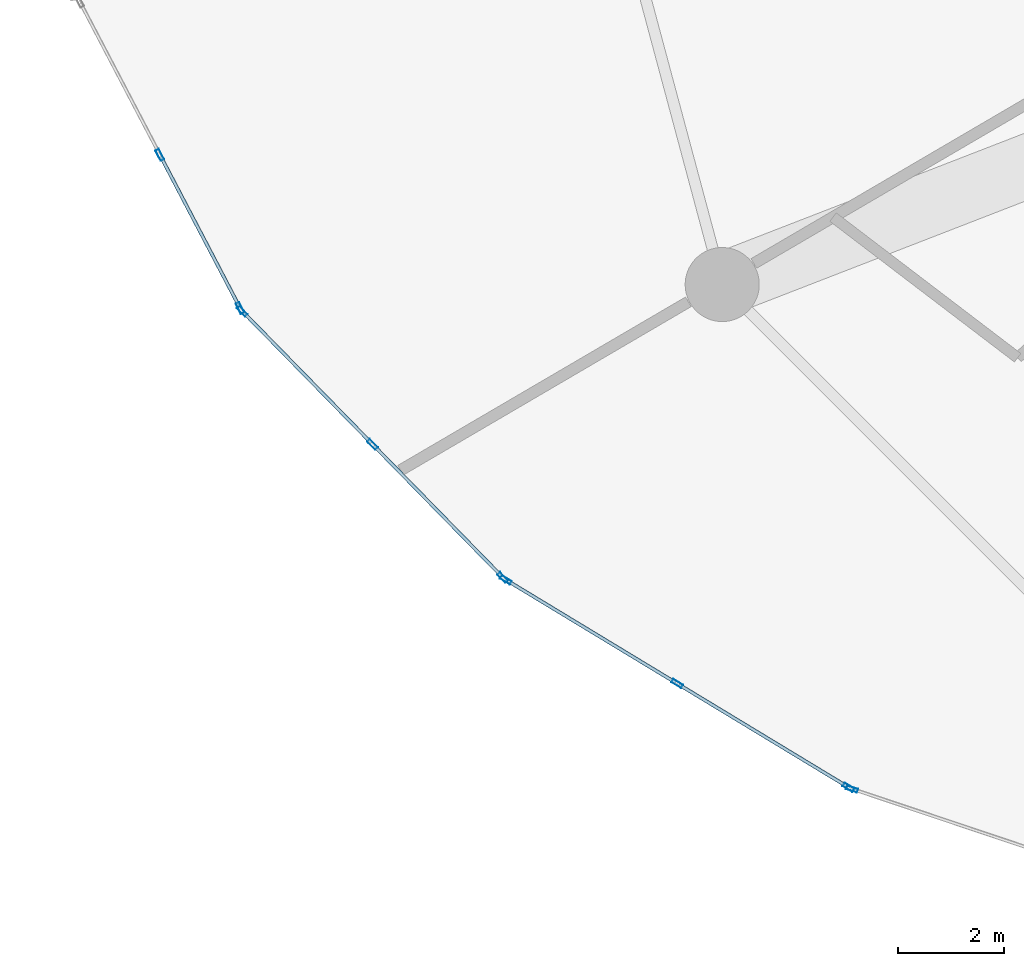
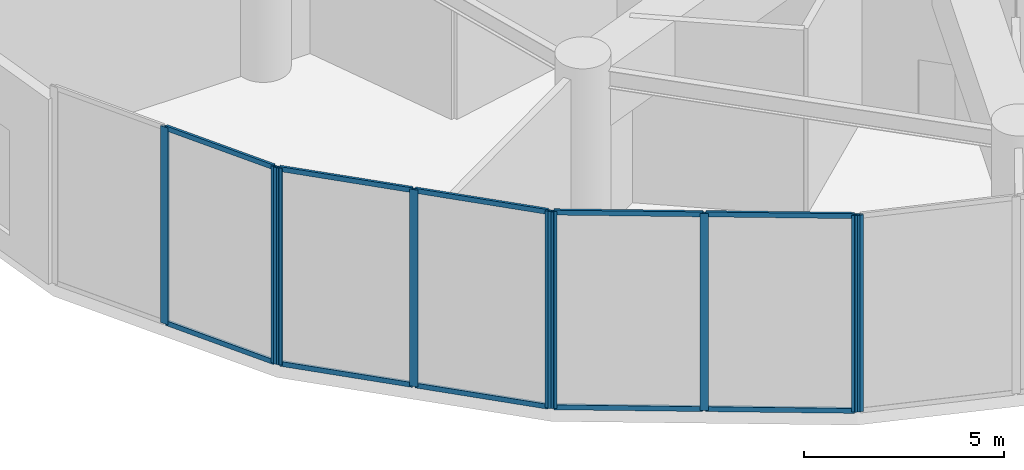
# One storey, part 4 of 28: 19 members, 4 elements without a shape of their own.
"""IFC4 building model written with IfcOpenShell, lengths in metres."""

from ifc_helpers import new_model, si_unit, direction, frame, origin, origin_2d, place, context, subcontext, project, spatial, hollow_rectangle, extrude, source, transform, mapped, material, layer, layer_set, material_profile, profile_set, type_object, element, aggregate, save


model = new_model("IFC4")

# Units and contexts
model_context = context("Model", 3, precision=1e-05, world=origin(), true_north=direction((0.0, 1.0)))
body_context = subcontext(model_context, "Body", "Model", "MODEL_VIEW")
ifc_project = project(units=[si_unit("LENGTHUNIT", "METRE"), si_unit("AREAUNIT", "SQUARE_METRE"), si_unit("VOLUMEUNIT", "CUBIC_METRE"), si_unit("PLANEANGLEUNIT", "RADIAN"), si_unit("MASSUNIT", "GRAM", prefix="KILO")], contexts=[model_context])

# Site, building, storey
site_placement = place(None, origin())
site = spatial("IfcSite", under=ifc_project, at=site_placement, CompositionType="ELEMENT")
building_placement = place(site_placement, origin())
building = spatial("IfcBuilding", under=site, at=building_placement, Name="Solvirekh Grand Hotel", CompositionType="ELEMENT")
storey_placement = place(building_placement, frame((0.0, 0.0, 12.60009765625)))
storey = spatial("IfcBuildingStorey", under=building, at=storey_placement, Name="L02", CompositionType="ELEMENT", Elevation=12.60009765625)

# Curtain wall, members
ifc_material = material(Name="Anodized Bronze Aluminium 6063-T6", Category="aluminium")
ifc_layer = layer(ifc_material, 0.219970703125)
ifc_layer_set = layer_set([ifc_layer], Name="Anodized Bronze Aluminium 6063-T6")
curtain_wall_type = type_object("IfcCurtainWallType", Name="CW_Sys1_PodiumBronzeUnitised", PredefinedType="NOTDEFINED", material=ifc_layer_set)
curtain_wall_1_placement = place(storey_placement, origin())
curtain_wall_1 = element("IfcCurtainWall", 1, at=curtain_wall_1_placement, inside=storey, type_object=curtain_wall_type, Name="L02 unitised bronze-glass curtain wall CW-L02-C14", PredefinedType="NOTDEFINED")
ifc_material_profile_1 = material_profile(ifc_material, hollow_rectangle(XDim=0.06494140625, YDim=0.14990234375, WallThickness=0.0048828125, at=origin_2d()), Name="ALU RHS 150X65X5")
ifc_profile_set_1 = profile_set([ifc_material_profile_1], Name="Anodized Bronze Aluminium 6063-T6")
member_type_1 = type_object("IfcMemberType", Name="CWTransom_Sys1", PredefinedType="USERDEFINED", material=ifc_profile_set_1)
shared_shape_1 = source(origin(), body_context, "Body", "SweptSolid", [
    extrude(hollow_rectangle(XDim=0.06494140625, YDim=0.14990234375, WallThickness=0.0048828125, at=origin_2d()), origin(), (0.0, 0.0, 1.0), 3.193603515625),
])
member_1_placement = place(storey_placement, frame((-29.489990234375, -8.482177734375, 0.032470703125), z_axis=(0.463801310978, -0.88593924393, 0.0), x_axis=(0.88593924393, 0.463801310978, 0.0)))
member_1 = element("IfcMember", 2, at=member_1_placement, type_object=member_type_1, Name="U01 transom 2.1", ObjectType="TRANSOM", PredefinedType="USERDEFINED", context=body_context, shape_type="MappedRepresentation", body=[
    mapped(shared_shape_1, transform((0.0, 0.0, 0.0), x_axis=(1.0, 0.0, 0.0), y_axis=(0.0, 1.0, 0.0), z_axis=(0.0, 0.0, 1.0), scale=1.0)),
])
member_2_placement = place(storey_placement, frame((-29.489990234375, -8.482177734375, 5.96728515625), z_axis=(0.463801310978, -0.88593924393, 0.0), x_axis=(0.88593924393, 0.463801310978, 0.0)))
member_2 = element("IfcMember", 3, at=member_2_placement, type_object=member_type_1, Name="U01 transom 2.2", ObjectType="TRANSOM", PredefinedType="USERDEFINED", context=body_context, shape_type="MappedRepresentation", body=[
    mapped(shared_shape_1, transform((0.0, 0.0, 0.0), x_axis=(1.0, 0.0, 0.0), y_axis=(0.0, 1.0, 0.0), z_axis=(0.0, 0.0, 1.0), scale=1.0)),
])

curtain_wall_2_placement = place(storey_placement, origin())
curtain_wall_2 = element("IfcCurtainWall", 4, at=curtain_wall_2_placement, inside=storey, type_object=curtain_wall_type, Name="L02 unitised bronze-glass curtain wall CW-L02-C15", PredefinedType="NOTDEFINED")
shared_shape_2 = source(origin(), body_context, "Body", "SweptSolid", [
    extrude(hollow_rectangle(XDim=0.06494140625, YDim=0.14990234375, WallThickness=0.0048828125, at=origin_2d()), origin(), (0.0, 0.0, 1.0), 3.443115234375),
])
member_3_placement = place(storey_placement, frame((-27.921630859375, -11.431640625, 0.032470703125), z_axis=(0.699371344308, -0.714758506603, 0.0), x_axis=(0.714758506603, 0.699371344308, 0.0)))
member_3 = element("IfcMember", 5, at=member_3_placement, type_object=member_type_1, Name="U01 transom 1.1", ObjectType="TRANSOM", PredefinedType="USERDEFINED", context=body_context, shape_type="MappedRepresentation", body=[
    mapped(shared_shape_2, transform((0.0, 0.0, 0.0), x_axis=(1.0, 0.0, 0.0), y_axis=(0.0, 1.0, 0.0), z_axis=(0.0, 0.0, 1.0), scale=1.0)),
])
member_4_placement = place(storey_placement, frame((-27.921630859375, -11.431640625, 5.96728515625), z_axis=(0.699371344308, -0.714758506603, 0.0), x_axis=(0.714758506603, 0.699371344308, 0.0)))
member_4 = element("IfcMember", 6, at=member_4_placement, type_object=member_type_1, Name="U01 transom 1.2", ObjectType="TRANSOM", PredefinedType="USERDEFINED", context=body_context, shape_type="MappedRepresentation", body=[
    mapped(shared_shape_2, transform((0.0, 0.0, 0.0), x_axis=(1.0, 0.0, 0.0), y_axis=(0.0, 1.0, 0.0), z_axis=(0.0, 0.0, 1.0), scale=1.0)),
])
member_5_placement = place(storey_placement, frame((-25.461181640625, -13.9462890625, 0.032470703125), z_axis=(0.699299669217, -0.714828631654, 0.0), x_axis=(0.714828631654, 0.699299669217, 0.0)))
member_5 = element("IfcMember", 7, at=member_5_placement, type_object=member_type_1, Name="U01 transom 2.1", ObjectType="TRANSOM", PredefinedType="USERDEFINED", context=body_context, shape_type="MappedRepresentation", body=[
    mapped(shared_shape_2, transform((0.0, 0.0, 0.0), x_axis=(1.0, 0.0, 0.0), y_axis=(0.0, 1.0, 0.0), z_axis=(0.0, 0.0, 1.0), scale=1.0)),
])
member_6_placement = place(storey_placement, frame((-25.461181640625, -13.9462890625, 5.96728515625), z_axis=(0.699299669217, -0.714828631654, 0.0), x_axis=(0.714828631654, 0.699299669217, 0.0)))
member_6 = element("IfcMember", 8, at=member_6_placement, type_object=member_type_1, Name="U01 transom 2.2", ObjectType="TRANSOM", PredefinedType="USERDEFINED", context=body_context, shape_type="MappedRepresentation", body=[
    mapped(shared_shape_2, transform((0.0, 0.0, 0.0), x_axis=(1.0, 0.0, 0.0), y_axis=(0.0, 1.0, 0.0), z_axis=(0.0, 0.0, 1.0), scale=1.0)),
])

# Member
ifc_material_profile_2 = material_profile(ifc_material, hollow_rectangle(XDim=0.074951171875, YDim=0.219970703125, WallThickness=0.006103515625, at=origin_2d()), Name="ALU RHS 220X75X6")
ifc_profile_set_2 = profile_set([ifc_material_profile_2], Name="Anodized Bronze Aluminium 6063-T6")
member_type_2 = type_object("IfcMemberType", Name="CWMullion_Sys1", PredefinedType="MULLION", material=ifc_profile_set_2)
shared_shape_3 = source(origin(), body_context, "Body", "SweptSolid", [
    extrude(hollow_rectangle(XDim=0.074951171875, YDim=0.219970703125, WallThickness=0.006103515625, at=origin_2d()), origin(), (0.0, 0.0, 1.0), 6.0),
])
member_7_placement = place(storey_placement, frame((-29.507568359375, -8.448974609375, 0.0), z_axis=(0.0, 0.0, 1.0), x_axis=(0.885923280364, 0.463831802821, 0.0)))
member_7 = element("IfcMember", 9, at=member_7_placement, type_object=member_type_2, Name="U01 mullion 2", PredefinedType="MULLION", context=body_context, shape_type="MappedRepresentation", body=[
    mapped(shared_shape_3, transform((0.0, 0.0, 0.0), x_axis=(1.0, 0.0, 0.0), y_axis=(0.0, 1.0, 0.0), z_axis=(0.0, 0.0, 1.0), scale=1.0)),
])

member_8_placement = place(storey_placement, frame((-27.991455078125, -11.3447265625, 0.0), z_axis=(0.0, 0.0, 1.0), x_axis=(0.885923280364, 0.463831802821, 0.0)))
member_8 = element("IfcMember", 10, at=member_8_placement, type_object=member_type_2, Name="U01 mullion 3", PredefinedType="MULLION", context=body_context, shape_type="MappedRepresentation", body=[
    mapped(shared_shape_3, transform((0.0, 0.0, 0.0), x_axis=(1.0, 0.0, 0.0), y_axis=(0.0, 1.0, 0.0), z_axis=(0.0, 0.0, 1.0), scale=1.0)),
])

aggregate(curtain_wall_1, [member_7, member_8, member_1, member_2])

member_9_placement = place(storey_placement, frame((-27.94775390625, -11.40478515625, 0.0), z_axis=(0.0, 0.0, 1.0), x_axis=(0.714798876821, 0.699330083505, 0.0)))
member_9 = element("IfcMember", 11, at=member_9_placement, type_object=member_type_2, Name="U01 mullion 1", PredefinedType="MULLION", context=body_context, shape_type="MappedRepresentation", body=[
    mapped(shared_shape_3, transform((0.0, 0.0, 0.0), x_axis=(1.0, 0.0, 0.0), y_axis=(0.0, 1.0, 0.0), z_axis=(0.0, 0.0, 1.0), scale=1.0)),
])

member_10_placement = place(storey_placement, frame((-25.487548828125, -13.91943359375, 0.0), z_axis=(0.0, 0.0, 1.0), x_axis=(0.714798876821, 0.699330083505, 0.0)))
member_10 = element("IfcMember", 12, at=member_10_placement, type_object=member_type_2, Name="U01 mullion 2", PredefinedType="MULLION", context=body_context, shape_type="MappedRepresentation", body=[
    mapped(shared_shape_3, transform((0.0, 0.0, 0.0), x_axis=(1.0, 0.0, 0.0), y_axis=(0.0, 1.0, 0.0), z_axis=(0.0, 0.0, 1.0), scale=1.0)),
])

member_11_placement = place(storey_placement, frame((-23.02734375, -16.43408203125, 0.0), z_axis=(0.0, 0.0, 1.0), x_axis=(0.714798876821, 0.699330083505, 0.0)))
member_11 = element("IfcMember", 13, at=member_11_placement, type_object=member_type_2, Name="U01 mullion 3", PredefinedType="MULLION", context=body_context, shape_type="MappedRepresentation", body=[
    mapped(shared_shape_3, transform((0.0, 0.0, 0.0), x_axis=(1.0, 0.0, 0.0), y_axis=(0.0, 1.0, 0.0), z_axis=(0.0, 0.0, 1.0), scale=1.0)),
])

aggregate(curtain_wall_2, [member_9, member_10, member_11, member_3, member_4, member_5, member_6])

# Curtain wall, members
curtain_wall_3_placement = place(storey_placement, origin())
curtain_wall_3 = element("IfcCurtainWall", 14, at=curtain_wall_3_placement, inside=storey, type_object=curtain_wall_type, Name="L02 unitised bronze-glass curtain wall CW-L02-C16", PredefinedType="NOTDEFINED")
member_12_placement = place(storey_placement, frame((-22.968994140625, -16.48046875, 0.0), z_axis=(0.0, 0.0, 1.0), x_axis=(0.517991568383, 0.855385722984, 0.0)))
member_12 = element("IfcMember", 15, at=member_12_placement, type_object=member_type_2, Name="U01 mullion 1", PredefinedType="MULLION", context=body_context, shape_type="MappedRepresentation", body=[
    mapped(shared_shape_3, transform((0.0, 0.0, 0.0), x_axis=(1.0, 0.0, 0.0), y_axis=(0.0, 1.0, 0.0), z_axis=(0.0, 0.0, 1.0), scale=1.0)),
])
member_13_placement = place(storey_placement, frame((-19.73046875, -18.44140625, 0.0), z_axis=(0.0, 0.0, 1.0), x_axis=(0.517991568383, 0.855385722984, 0.0)))
member_13 = element("IfcMember", 16, at=member_13_placement, type_object=member_type_2, Name="U01 mullion 2", PredefinedType="MULLION", context=body_context, shape_type="MappedRepresentation", body=[
    mapped(shared_shape_3, transform((0.0, 0.0, 0.0), x_axis=(1.0, 0.0, 0.0), y_axis=(0.0, 1.0, 0.0), z_axis=(0.0, 0.0, 1.0), scale=1.0)),
])
member_14_placement = place(storey_placement, frame((-16.4921875, -20.402587890625, 0.0), z_axis=(0.0, 0.0, 1.0), x_axis=(0.517991568383, 0.855385722984, 0.0)))
member_14 = element("IfcMember", 17, at=member_14_placement, type_object=member_type_2, Name="U01 mullion 3", PredefinedType="MULLION", context=body_context, shape_type="MappedRepresentation", body=[
    mapped(shared_shape_3, transform((0.0, 0.0, 0.0), x_axis=(1.0, 0.0, 0.0), y_axis=(0.0, 1.0, 0.0), z_axis=(0.0, 0.0, 1.0), scale=1.0)),
])

# Curtain wall, member
curtain_wall_4_placement = place(storey_placement, origin())
curtain_wall_4 = element("IfcCurtainWall", 18, at=curtain_wall_4_placement, inside=storey, type_object=curtain_wall_type, Name="L02 unitised bronze-glass curtain wall CW-L02-C17", PredefinedType="NOTDEFINED")
member_15_placement = place(storey_placement, frame((-16.424560546875, -20.433837890625, 0.0), z_axis=(0.0, 0.0, 1.0), x_axis=(0.317897817007, 0.948124980128, 0.0)))
member_15 = element("IfcMember", 19, at=member_15_placement, type_object=member_type_2, Name="U01 mullion 1", PredefinedType="MULLION", context=body_context, shape_type="MappedRepresentation", body=[
    mapped(shared_shape_3, transform((0.0, 0.0, 0.0), x_axis=(1.0, 0.0, 0.0), y_axis=(0.0, 1.0, 0.0), z_axis=(0.0, 0.0, 1.0), scale=1.0)),
])
aggregate(curtain_wall_4, [member_15])

# Member
shared_shape_4 = source(origin(), body_context, "Body", "SweptSolid", [
    extrude(hollow_rectangle(XDim=0.06494140625, YDim=0.14990234375, WallThickness=0.0048828125, at=origin_2d()), origin(), (0.0, 0.0, 1.0), 3.7109375),
])
member_16_placement = place(storey_placement, frame((-22.936767578125, -16.499755859375, 0.032470703125), z_axis=(0.855355090817, -0.518042149457, 0.0), x_axis=(0.518042149457, 0.855355090817, 0.0)))
member_16 = element("IfcMember", 20, at=member_16_placement, type_object=member_type_1, Name="U01 transom 1.1", ObjectType="TRANSOM", PredefinedType="USERDEFINED", context=body_context, shape_type="MappedRepresentation", body=[
    mapped(shared_shape_4, transform((0.0, 0.0, 0.0), x_axis=(1.0, 0.0, 0.0), y_axis=(0.0, 1.0, 0.0), z_axis=(0.0, 0.0, 1.0), scale=1.0)),
])

member_17_placement = place(storey_placement, frame((-22.936767578125, -16.499755859375, 5.96728515625), z_axis=(0.855355090817, -0.518042149457, 0.0), x_axis=(0.518042149457, 0.855355090817, 0.0)))
member_17 = element("IfcMember", 21, at=member_17_placement, type_object=member_type_1, Name="U01 transom 1.2", ObjectType="TRANSOM", PredefinedType="USERDEFINED", context=body_context, shape_type="MappedRepresentation", body=[
    mapped(shared_shape_4, transform((0.0, 0.0, 0.0), x_axis=(1.0, 0.0, 0.0), y_axis=(0.0, 1.0, 0.0), z_axis=(0.0, 0.0, 1.0), scale=1.0)),
])

member_18_placement = place(storey_placement, frame((-19.698486328125, -18.4609375, 0.032470703125), z_axis=(0.855401895457, -0.517964861016, 0.0), x_axis=(0.517964861016, 0.855401895457, 0.0)))
member_18 = element("IfcMember", 22, at=member_18_placement, type_object=member_type_1, Name="U01 transom 2.1", ObjectType="TRANSOM", PredefinedType="USERDEFINED", context=body_context, shape_type="MappedRepresentation", body=[
    mapped(shared_shape_4, transform((0.0, 0.0, 0.0), x_axis=(1.0, 0.0, 0.0), y_axis=(0.0, 1.0, 0.0), z_axis=(0.0, 0.0, 1.0), scale=1.0)),
])

member_19_placement = place(storey_placement, frame((-19.698486328125, -18.4609375, 5.96728515625), z_axis=(0.855401895457, -0.517964861016, 0.0), x_axis=(0.517964861016, 0.855401895457, 0.0)))
member_19 = element("IfcMember", 23, at=member_19_placement, type_object=member_type_1, Name="U01 transom 2.2", ObjectType="TRANSOM", PredefinedType="USERDEFINED", context=body_context, shape_type="MappedRepresentation", body=[
    mapped(shared_shape_4, transform((0.0, 0.0, 0.0), x_axis=(1.0, 0.0, 0.0), y_axis=(0.0, 1.0, 0.0), z_axis=(0.0, 0.0, 1.0), scale=1.0)),
])

aggregate(curtain_wall_3, [member_12, member_13, member_14, member_16, member_17, member_18, member_19])

save(model, "model.ifc")
